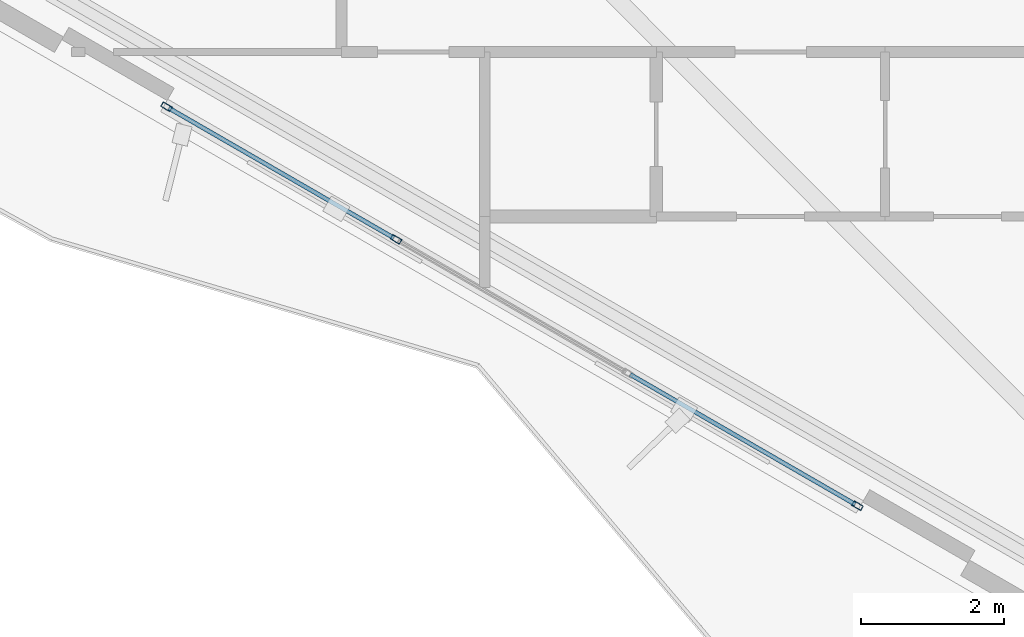
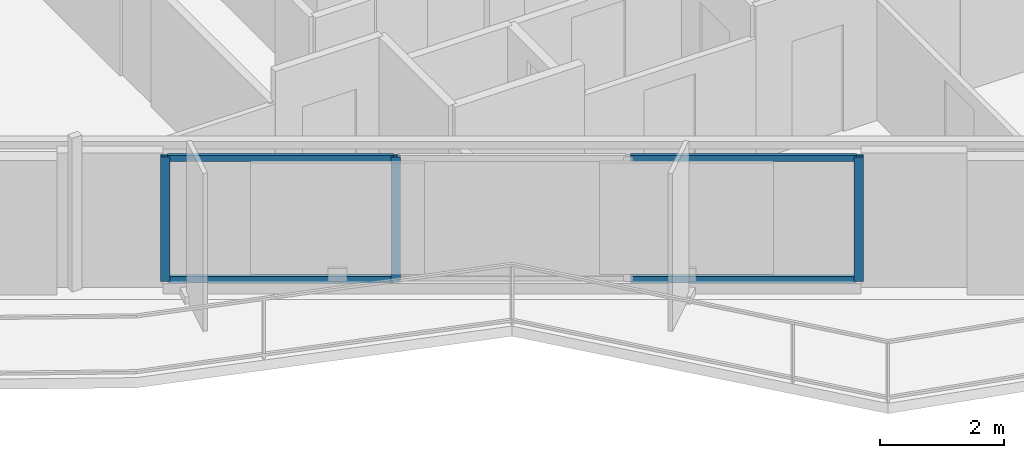
# One storey, part 2 of 22: 7 members, 1 element without a shape of its own.
"""IFC4 building model written with IfcOpenShell, lengths in metres."""

from ifc_helpers import new_model, si_unit, direction, frame, origin, origin_2d, place, context, subcontext, project, spatial, hollow_rectangle, extrude, material, layer, layer_set, material_profile, profile_set, type_object, element, aggregate, save


model = new_model("IFC4")

# Units and contexts
model_context = context("Model", 3, precision=1e-05, world=origin(), true_north=direction((0.0, 1.0)))
body_context = subcontext(model_context, "Body", "Model", "MODEL_VIEW")
ifc_project = project(units=[si_unit("LENGTHUNIT", "METRE"), si_unit("AREAUNIT", "SQUARE_METRE"), si_unit("VOLUMEUNIT", "CUBIC_METRE"), si_unit("PLANEANGLEUNIT", "RADIAN"), si_unit("MASSUNIT", "GRAM", prefix="KILO")], contexts=[model_context])

# Site, building, storey
site_placement = place(None, origin())
site = spatial("IfcSite", under=ifc_project, at=site_placement, CompositionType="ELEMENT")
building_placement = place(site_placement, origin())
building = spatial("IfcBuilding", under=site, at=building_placement, Name="Mersakhor Tower and Convention Hall", CompositionType="ELEMENT")
storey_placement = place(building_placement, frame((0.0, 0.0, 113.10009765625)))
storey = spatial("IfcBuildingStorey", under=building, at=storey_placement, Name="L31", CompositionType="ELEMENT", Elevation=113.10009765625)

# Curtain wall, members
ifc_material_1 = material(Name="Dark solar low-E aluminium curtain wall", Category="aluminium")
ifc_layer = layer(ifc_material_1, 0.159912109375)
ifc_layer_set = layer_set([ifc_layer], Name="Dark solar low-E aluminium curtain wall")
curtain_wall_type = type_object("IfcCurtainWallType", Name="CW-SYS-01", PredefinedType="USERDEFINED", material=ifc_layer_set)
curtain_wall_placement = place(storey_placement, origin())
curtain_wall = element("IfcCurtainWall", 1, at=curtain_wall_placement, inside=storey, type_object=curtain_wall_type, Name="L31 Dark-Glass Curtain Wall F3-B2", ObjectType="CURTAIN WALL", PredefinedType="USERDEFINED")
ifc_material_2 = material(Name="Anodised aluminium EN AW-6063 T6", Category="aluminium")
ifc_material_profile_1 = material_profile(ifc_material_2, hollow_rectangle(XDim=0.074951171875, YDim=0.14990234375, WallThickness=0.00634765625, at=origin_2d()), Name="RHS 150x75x6.3")
ifc_profile_set_1 = profile_set([ifc_material_profile_1], Name="Anodised aluminium EN AW-6063 T6")
member_type_1 = type_object("IfcMemberType", Name="CWM-150x75", PredefinedType="MULLION", material=ifc_profile_set_1)
member_1_placement = place(storey_placement, frame((26.812744140625, 11.80712890625, 0.199951171875), z_axis=(0.0, 0.0, 1.0), x_axis=(-0.499997904985, -0.866026613339, 0.0)))
member_1 = element("IfcMember", 2, at=member_1_placement, type_object=member_type_1, Name="CW-01 mullion 1", PredefinedType="MULLION", context=body_context, shape_type="SweptSolid", body=[
    extrude(hollow_rectangle(XDim=0.074951171875, YDim=0.14990234375, WallThickness=0.00634765625, at=origin_2d()), origin(), (0.0, 0.0, 1.0), 2.43994140625),
])
member_2_placement = place(storey_placement, frame((20.36181640625, 15.531494140625, 0.199951171875), z_axis=(0.0, 0.0, 1.0), x_axis=(-0.499997904985, -0.866026613339, 0.0)))
member_2 = element("IfcMember", 3, at=member_2_placement, type_object=member_type_1, Name="CW-01 mullion 3", PredefinedType="MULLION", context=body_context, shape_type="SweptSolid", body=[
    extrude(hollow_rectangle(XDim=0.074951171875, YDim=0.14990234375, WallThickness=0.00634765625, at=origin_2d()), origin(), (0.0, 0.0, 1.0), 2.43994140625),
])
member_3_placement = place(storey_placement, frame((17.152587890625, 17.38427734375, 0.199951171875), z_axis=(0.0, 0.0, 1.0), x_axis=(-0.499997904985, -0.866026613339, 0.0)))
member_3 = element("IfcMember", 4, at=member_3_placement, type_object=member_type_1, Name="CW-01 mullion 4", PredefinedType="MULLION", context=body_context, shape_type="SweptSolid", body=[
    extrude(hollow_rectangle(XDim=0.074951171875, YDim=0.14990234375, WallThickness=0.00634765625, at=origin_2d()), origin(), (0.0, 0.0, 1.0), 2.43994140625),
])
ifc_material_3 = material(Name="Anodised aluminium EN AW-6063 T6", Category="aluminium")
ifc_material_profile_2 = material_profile(ifc_material_3, hollow_rectangle(XDim=0.06005859375, YDim=0.1201171875, WallThickness=0.0048828125, at=origin_2d()), Name="RHS 120x60x5")
ifc_profile_set_2 = profile_set([ifc_material_profile_2], Name="Anodised aluminium EN AW-6063 T6")
member_type_2 = type_object("IfcMemberType", Name="CWT-120x60", PredefinedType="USERDEFINED", material=ifc_profile_set_2)
member_4_placement = place(storey_placement, frame((26.7802734375, 11.82568359375, 0.22998046875), z_axis=(-0.866016497289, 0.500015426185, 0.0), x_axis=(-0.500015426185, -0.866016497289, 0.0)))
member_4 = element("IfcMember", 5, at=member_4_placement, type_object=member_type_2, Name="CW-01 transom 1.1", ObjectType="TRANSOM", PredefinedType="USERDEFINED", context=body_context, shape_type="SweptSolid", body=[
    extrude(hollow_rectangle(XDim=0.06005859375, YDim=0.1201171875, WallThickness=0.0048828125, at=origin_2d()), origin(), (0.0, 0.0, 1.0), 3.630859375),
])
member_5_placement = place(storey_placement, frame((26.7802734375, 11.82568359375, 2.60986328125), z_axis=(-0.866016497289, 0.500015426185, 0.0), x_axis=(-0.500015426185, -0.866016497289, 0.0)))
member_5 = element("IfcMember", 6, at=member_5_placement, type_object=member_type_2, Name="CW-01 transom 1.2", ObjectType="TRANSOM", PredefinedType="USERDEFINED", context=body_context, shape_type="SweptSolid", body=[
    extrude(hollow_rectangle(XDim=0.06005859375, YDim=0.1201171875, WallThickness=0.0048828125, at=origin_2d()), origin(), (0.0, 0.0, 1.0), 3.630859375),
])
member_6_placement = place(storey_placement, frame((20.329345703125, 15.55029296875, 0.22998046875), z_axis=(-0.866045614266, 0.499964992784, 0.0), x_axis=(-0.499964992784, -0.866045614266, 0.0)))
member_6 = element("IfcMember", 7, at=member_6_placement, type_object=member_type_2, Name="CW-01 transom 3.1", ObjectType="TRANSOM", PredefinedType="USERDEFINED", context=body_context, shape_type="SweptSolid", body=[
    extrude(hollow_rectangle(XDim=0.06005859375, YDim=0.1201171875, WallThickness=0.0048828125, at=origin_2d()), origin(), (0.0, 0.0, 1.0), 3.630615234375),
])
member_7_placement = place(storey_placement, frame((20.329345703125, 15.55029296875, 2.60986328125), z_axis=(-0.866045614266, 0.499964992784, 0.0), x_axis=(-0.499964992784, -0.866045614266, 0.0)))
member_7 = element("IfcMember", 8, at=member_7_placement, type_object=member_type_2, Name="CW-01 transom 3.2", ObjectType="TRANSOM", PredefinedType="USERDEFINED", context=body_context, shape_type="SweptSolid", body=[
    extrude(hollow_rectangle(XDim=0.06005859375, YDim=0.1201171875, WallThickness=0.0048828125, at=origin_2d()), origin(), (0.0, 0.0, 1.0), 3.630615234375),
])
aggregate(curtain_wall, [member_1, member_2, member_3, member_4, member_5, member_6, member_7])

save(model, "model.ifc")
